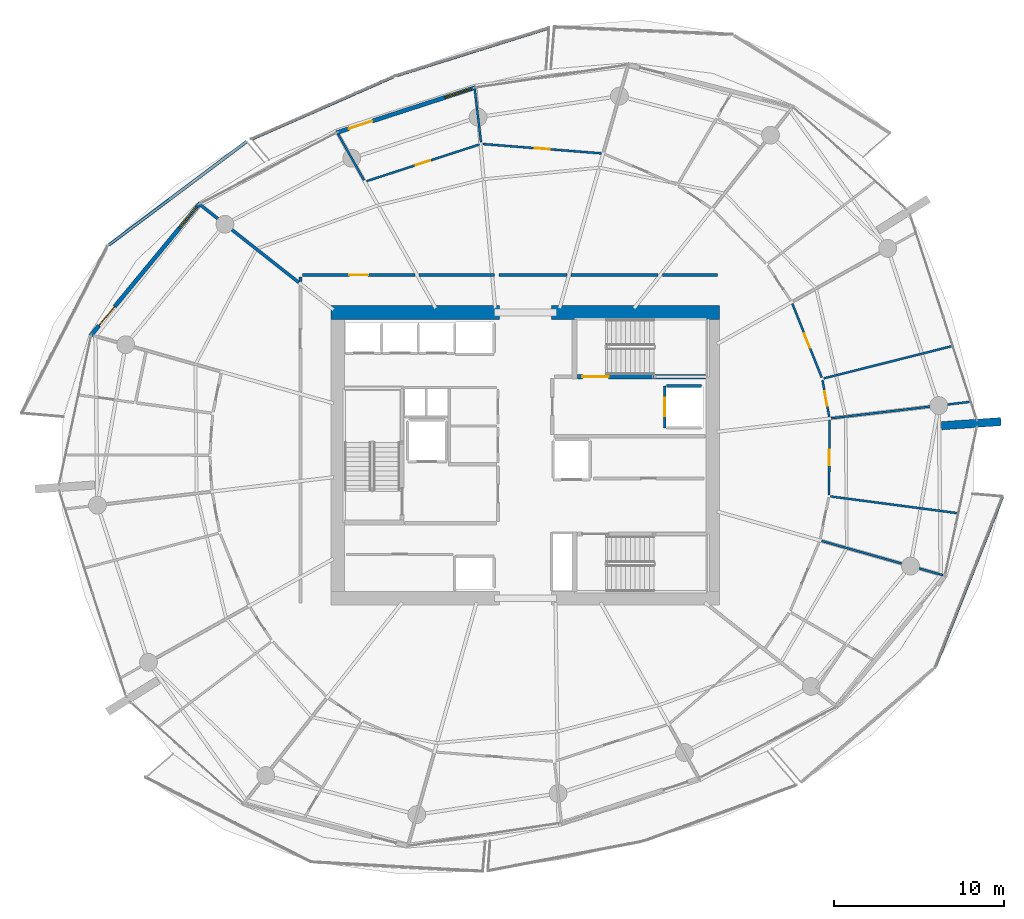
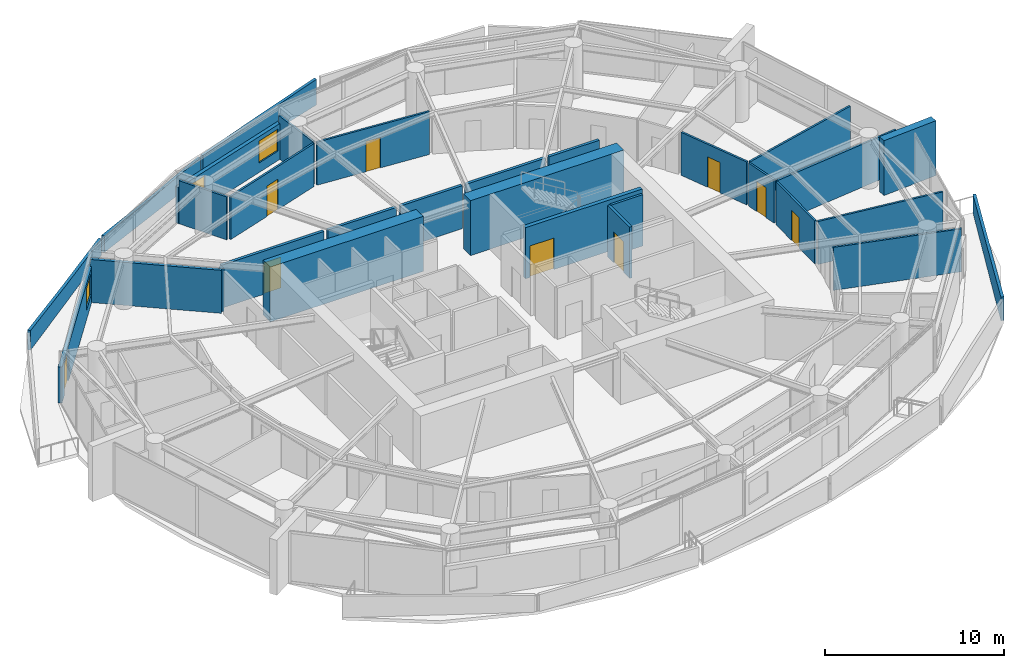
# One storey, part 14 of 20: 30 walls, 10 doors, 2 windows, 12 openings.
"""IFC4 building model written with IfcOpenShell, lengths in metres."""

import ifcopenshell
import ifcopenshell.guid

model = None  # the IFC model being written
_history = None  # IfcOwnerHistory: only IFC2X3 demands one
_inside = {}  # id of a spatial element -> (the spatial element, [elements in it])
_under = {}  # id of a project, library or spatial element -> (it, [spatial elements below it])
_declared = {}  # id of a project -> (the project, [libraries it declares])
_typed = {}  # id of a type object -> (the type object, [elements of that type])
_made_of = {}  # id of a material, layer set ... -> (it, [elements and type objects made of it])


def new_model(schema):
    """Start an empty IFC model of exactly this schema.

    Asked for "IFC4X3", IfcOpenShell would pick the latest addendum, in which some entities
    have other attributes; the version numbers below select the first issue.
    IFC2X3 requires an IfcOwnerHistory on every rooted entity: one is made here for all.
    """
    global model, _history
    if schema == "IFC4X3":
        model = ifcopenshell.file(schema_version=(4, 3, 0, 0))
    else:
        model = ifcopenshell.file(schema=schema)
    _inside.clear()
    _under.clear()
    _declared.clear()
    _typed.clear()
    _made_of.clear()
    _history = None
    if model.schema == "IFC2X3":
        org = make("IfcOrganization", Name="unknown")
        user = make(
            "IfcPersonAndOrganization",
            ThePerson=make("IfcPerson", FamilyName="unknown"),
            TheOrganization=org,
        )
        app = make(
            "IfcApplication",
            ApplicationDeveloper=org,
            Version="unknown",
            ApplicationFullName="unknown",
            ApplicationIdentifier="unknown",
        )
        _history = make(
            "IfcOwnerHistory",
            OwningUser=user,
            OwningApplication=app,
            ChangeAction="ADDED",
            CreationDate=0,
        )
    return model


def make(cls, **values):
    """One entity of the class cls with the attributes given. An attribute that is None is left unset."""
    return model.create_entity(
        cls, **{name: value for name, value in values.items() if value is not None}
    )


def rooted(cls, **values):
    """An entity with a GlobalId (a new one), such as an element, a storey or a relation."""
    return make(cls, GlobalId=ifcopenshell.guid.new(), OwnerHistory=_history, **values)


def si_unit(unit_type, name, prefix=None):
    """IfcSIUnit, for example si_unit("LENGTHUNIT", "METRE", prefix="MILLI")."""
    return make("IfcSIUnit", UnitType=unit_type, Prefix=prefix, Name=name)


def assignment(units):
    """IfcUnitAssignment: the units of a project."""
    return None if units is None else make("IfcUnitAssignment", Units=units)


def point(xyz):
    """IfcCartesianPoint."""
    return None if xyz is None else make("IfcCartesianPoint", Coordinates=xyz)


def direction(xyz):
    """IfcDirection."""
    return None if xyz is None else make("IfcDirection", DirectionRatios=xyz)


def frame(location, z_axis=None, x_axis=None):
    """IfcAxis2Placement3D, a coordinate frame: its origin and axes. An axis left out is left unset."""
    return make(
        "IfcAxis2Placement3D",
        Location=point(location),
        Axis=direction(z_axis),
        RefDirection=direction(x_axis),
    )


def frame_2d(location, x_axis=None):
    """IfcAxis2Placement2D, a coordinate frame in the plane: its origin and x axis."""
    return make(
        "IfcAxis2Placement2D", Location=point(location), RefDirection=direction(x_axis)
    )


def origin():
    """The frame at (0, 0, 0) with its axes left unset."""
    return frame((0.0, 0.0, 0.0))


def place(relative_to, where):
    """IfcLocalPlacement: puts the frame where relative to a parent placement (None: the world)."""
    return make(
        "IfcLocalPlacement", PlacementRelTo=relative_to, RelativePlacement=where
    )


def context(
    kind, dimensions, precision=None, world=None, true_north=None, identifier=None
):
    """IfcGeometricRepresentationContext, for example the 3D "Model" context."""
    return make(
        "IfcGeometricRepresentationContext",
        ContextIdentifier=identifier,
        ContextType=kind,
        CoordinateSpaceDimension=dimensions,
        Precision=precision,
        WorldCoordinateSystem=world,
        TrueNorth=true_north,
    )


def subcontext(parent, identifier, kind, view, scale=None):
    """IfcGeometricRepresentationSubContext, for example "Body" below "Model"."""
    return make(
        "IfcGeometricRepresentationSubContext",
        ContextIdentifier=identifier,
        ContextType=kind,
        ParentContext=parent,
        TargetScale=scale,
        TargetView=view,
    )


def project(units=None, contexts=None):
    """IfcProject with its units and contexts."""
    return rooted(
        "IfcProject",
        Name="project",
        RepresentationContexts=contexts,
        UnitsInContext=assignment(units),
    )


def spatial(cls, under=None, at=None, **own):
    """A site, building, storey or space (cls), placed at a placement, below another one or the project."""
    s = rooted(cls, ObjectPlacement=at, **own)
    if under is not None:
        _under.setdefault(under.id(), (under, []))[1].append(s)
    return s


def polyline(points):
    """IfcPolyline through the points."""
    return make("IfcPolyline", Points=[point(p) for p in points])


def profile(cls, at=None, kind="AREA", **sizes):
    """A parametric profile (cls). Its sizes go by their IFC names, for example OverallWidth=200.0."""
    return make(cls, ProfileType=kind, Position=at, **sizes)


def rectangle(**sizes):
    """IfcRectangleProfileDef."""
    return profile("IfcRectangleProfileDef", **sizes)


def outline(outer, holes=None, kind="AREA"):
    """IfcArbitraryClosedProfileDef: a profile drawn as a closed curve; with holes, ...WithVoids."""
    if holes is None:
        return make("IfcArbitraryClosedProfileDef", ProfileType=kind, OuterCurve=outer)
    return make(
        "IfcArbitraryProfileDefWithVoids",
        ProfileType=kind,
        OuterCurve=outer,
        InnerCurves=holes,
    )


def extrude(swept, where, along, depth):
    """IfcExtrudedAreaSolid: the profile swept, set in the frame where, extruded along a direction by depth."""
    return make(
        "IfcExtrudedAreaSolid",
        SweptArea=swept,
        Position=where,
        ExtrudedDirection=direction(along),
        Depth=depth,
    )


def shape(context_of_items, identifier, shape_type, items):
    """IfcShapeRepresentation: the items that make up one representation, for example the "Body"."""
    return make(
        "IfcShapeRepresentation",
        ContextOfItems=context_of_items,
        RepresentationIdentifier=identifier,
        RepresentationType=shape_type,
        Items=items,
    )


def material(Name=None, Category=None):
    """IfcMaterial."""
    return make("IfcMaterial", Name=Name, Category=Category)


def layer(
    of_material, thickness, ventilated=None, Name=None, Category=None, Priority=None
):
    """IfcMaterialLayer: one layer of a wall or slab, of a material (None: an air gap)."""
    return make(
        "IfcMaterialLayer",
        Material=of_material,
        LayerThickness=thickness,
        IsVentilated=ventilated,
        Name=Name,
        Category=Category,
        Priority=Priority,
    )


def layer_set(layers, Name=None):
    """IfcMaterialLayerSet."""
    return make("IfcMaterialLayerSet", MaterialLayers=layers, LayerSetName=Name)


def made_of(thing, what):
    """Note that an element or type object is made of a material, layer set ...; save() writes the relation."""
    if what is not None:
        _made_of.setdefault(what.id(), (what, []))[1].append(thing)
    return thing


def type_object(cls, material=None, **own):
    """A type object (cls), such as IfcWallType, which elements share."""
    return made_of(rooted(cls, **own), material)


def element(
    cls,
    number,
    at=None,
    inside=None,
    cuts=None,
    type_object=None,
    material=None,
    context=None,
    identifier="Body",
    shape_type=None,
    held_by="IfcProductDefinitionShape",
    body=None,
    shapes=None,
    **own,
):
    """One element of the class cls, such as IfcWall. Its Tag is "e" and its number.

    at: its placement. inside: the storey or other place that contains it. cuts: it is an
    opening in that element (IfcRelVoidsElement). A single representation is given by context,
    identifier, shape_type and body (its items); several are given by shapes. held_by: the class
    of the entity that holds the representations. save() writes the other relations.
    """
    e = rooted(cls, Tag="e%d" % number, ObjectPlacement=at, **own)
    if body is not None:
        shapes = [shape(context, identifier, shape_type, body)]
    if shapes is not None:
        e.Representation = make(held_by, Representations=shapes)
    if inside is not None:
        _inside.setdefault(inside.id(), (inside, []))[1].append(e)
    if cuts is not None:
        rooted(
            "IfcRelVoidsElement", RelatingBuildingElement=cuts, RelatedOpeningElement=e
        )
    if type_object is not None:
        _typed.setdefault(type_object.id(), (type_object, []))[1].append(e)
    return made_of(e, material)


def fill(opening, filler):
    """IfcRelFillsElement: the door or window that sits in an opening."""
    return rooted(
        "IfcRelFillsElement",
        RelatingOpeningElement=opening,
        RelatedBuildingElement=filler,
    )


def aggregate(whole, parts):
    """IfcRelAggregates: a whole, such as a stair, and the parts it consists of."""
    return rooted("IfcRelAggregates", RelatingObject=whole, RelatedObjects=parts)


def save(model, path):
    """Write the relations noted so far, then the file.

    IfcRelAggregates (storeys below a building ...), IfcRelContainedInSpatialStructure (elements
    in a storey), IfcRelDefinesByType, IfcRelAssociatesMaterial and IfcRelDeclares: one each for
    every whole, place, type object, material and project.
    """
    for whole, parts in _under.values():
        aggregate(whole, parts)
    for where, things in _inside.values():
        rooted(
            "IfcRelContainedInSpatialStructure",
            RelatedElements=things,
            RelatingStructure=where,
        )
    for kind, things in _typed.values():
        rooted("IfcRelDefinesByType", RelatedObjects=things, RelatingType=kind)
    for what, things in _made_of.values():
        rooted("IfcRelAssociatesMaterial", RelatedObjects=things, RelatingMaterial=what)
    for by, libraries in _declared.values():
        rooted("IfcRelDeclares", RelatingContext=by, RelatedDefinitions=libraries)
    model.write(path)


model = new_model("IFC4")

# Units and contexts
model_context = context("Model", 3, precision=1e-05, world=origin(), true_north=direction((0.0, 1.0)))
body_context = subcontext(model_context, "Body", "Model", "MODEL_VIEW")
ifc_project = project(units=[si_unit("LENGTHUNIT", "METRE"), si_unit("AREAUNIT", "SQUARE_METRE"), si_unit("VOLUMEUNIT", "CUBIC_METRE"), si_unit("PLANEANGLEUNIT", "RADIAN"), si_unit("MASSUNIT", "GRAM", prefix="KILO")], contexts=[model_context])

# Site, building, storey
site_placement = place(None, origin())
site = spatial("IfcSite", under=ifc_project, at=site_placement, CompositionType="ELEMENT")
building_placement = place(site_placement, origin())
building = spatial("IfcBuilding", under=site, at=building_placement, Name="Kazma Halo Residences", CompositionType="ELEMENT")
storey_placement = place(building_placement, frame((0.0, 0.0, 131.550048828125)))
storey = spatial("IfcBuildingStorey", under=building, at=storey_placement, Name="L32", CompositionType="ELEMENT", Elevation=131.550048828125)

# Walls
ifc_material_1 = material(Name="White Concrete C50/60 Balustrade", Category="concrete")
ifc_layer_1 = layer(ifc_material_1, 0.179931640625)
ifc_layer_set_1 = layer_set([ifc_layer_1], Name="White Concrete C50/60 Balustrade")
wall_type_1 = type_object("IfcWallType", Name="WL-BAL-WAVE-180", PredefinedType="PARAPET", material=ifc_layer_set_1)
wall_1_placement = place(storey_placement, frame((49.823974609375, 67.13720703125, 0.0), z_axis=(0.0, 0.0, 1.0), x_axis=(-0.954421625817, -0.298461656119, 0.0)))
element("IfcWall", 1, at=wall_1_placement, inside=storey, type_object=wall_type_1, Name="L32 white wave balustrade wall NNW.1", PredefinedType="PARAPET", context=body_context, shape_type="SweptSolid", body=[
    extrude(outline(polyline([(0.0, 0.0), (9.38330078125, 0.0), (9.383056640625, 1.347900390625), (4.69140625, 1.56201171875), (0.0, 1.7470703125), (0.0, 0.0)])), frame((0.0, 0.08984375, 0.0), z_axis=(0.0, -1.0, 0.0), x_axis=(1.0, 0.0, 0.0)), (0.0, 0.0, 1.0), 0.179931640625),
])
wall_2_placement = place(storey_placement, frame((40.644287109375, 64.252685546875, 0.0), z_axis=(0.0, 0.0, 1.0), x_axis=(-0.915409194146, -0.402524542448, 0.0)))
element("IfcWall", 2, at=wall_2_placement, inside=storey, type_object=wall_type_1, Name="L32 white wave balustrade wall NNW.2", PredefinedType="PARAPET", context=body_context, shape_type="SweptSolid", body=[
    extrude(outline(polyline([(0.0, 0.0), (9.0966796875, 0.0), (9.0966796875, 1.119873046875), (4.54833984375, 1.181884765625), (0.0, 1.347900390625), (0.0, 0.0)])), frame((0.0, 0.08984375, 0.0), z_axis=(0.0, -1.0, 0.0), x_axis=(1.0, 0.0, 0.0)), (0.0, 0.0, 1.0), 0.179931640625),
])
wall_3_placement = place(storey_placement, frame((32.04638671875, 60.449951171875, 0.0), z_axis=(0.0, 0.0, 1.0), x_axis=(-0.800078127259, -0.599895816189, 0.0)))
element("IfcWall", 3, at=wall_3_placement, inside=storey, type_object=wall_type_1, Name="L32 white wave balustrade wall NW.1", PredefinedType="PARAPET", context=body_context, shape_type="SweptSolid", body=[
    extrude(outline(polyline([(0.0, 0.0), (10.123779296875, 0.0), (10.123779296875, 1.347900390625), (5.061767578125, 1.181884765625), (0.0, 1.119873046875), (0.0, 0.0)])), frame((0.0, 0.08984375, 0.0), z_axis=(0.0, -1.0, 0.0), x_axis=(1.0, 0.0, 0.0)), (0.0, 0.0, 1.0), 0.179931640625),
])
wall_4_placement = place(storey_placement, frame((72.548095703125, 29.626220703125, 0.0), z_axis=(0.0, 0.0, 1.0), x_axis=(0.367668520181, 0.929956912587, 0.0)))
element("IfcWall", 4, at=wall_4_placement, inside=storey, type_object=wall_type_1, Name="L32 white wave balustrade wall SE.2", PredefinedType="PARAPET", context=body_context, shape_type="SweptSolid", body=[
    extrude(outline(polyline([(0.0, 0.0), (10.706787109375, 0.0), (10.706787109375, 1.23291015625), (5.353515625, 1.41796875), (0.0, 1.6318359375), (0.0, 0.0)])), frame((0.0, 0.08984375, 0.0), z_axis=(0.0, -1.0, 0.0), x_axis=(1.0, 0.0, 0.0)), (0.0, 0.0, 1.0), 0.179931640625),
])
ifc_material_2 = material(Name="Pale Concrete C60/75", Category="concrete")
ifc_layer_2 = layer(ifc_material_2, 0.47998046875)
ifc_layer_set_2 = layer_set([ifc_layer_2], Name="Pale Concrete C60/75")
wall_type_2 = type_object("IfcWallType", Name="WL-BLADE-480", PredefinedType="SOLIDWALL", material=ifc_layer_set_2)
wall_5_placement = place(storey_placement, frame((72.89697265625, 43.740966796875, 0.0), z_axis=(0.0, 0.0, 1.0), x_axis=(0.997564163539, 0.069754853754, 0.0)))
element("IfcWall", 5, at=wall_5_placement, inside=storey, type_object=wall_type_2, Name="L32 pale concrete structural blade fin wall BW-04", PredefinedType="SOLIDWALL", context=body_context, shape_type="SweptSolid", body=[
    extrude(rectangle(XDim=3.5, YDim=0.47998046875, at=frame_2d((1.75, 0.0))), origin(), (0.0, 0.0, 1.0), 3.75),
])
ifc_material_3 = material(Name="Concrete C80/95", Category="concrete")
ifc_layer_3 = layer(ifc_material_3, 0.800048828125)
ifc_layer_set_3 = layer_set([ifc_layer_3], Name="Concrete C80/95")
wall_type_3 = type_object("IfcWallType", Name="WL-CORE-800", PredefinedType="SHEAR", material=ifc_layer_set_3)
wall_6_placement = place(storey_placement, frame((37.0, 50.39990234375, 0.0), z_axis=(0.0, 0.0, 1.0), x_axis=(1.0, 0.0, 0.0)))
element("IfcWall", 6, at=wall_6_placement, inside=storey, type_object=wall_type_3, Name="L32 central core shear wall NW", PredefinedType="SHEAR", context=body_context, shape_type="SweptSolid", body=[
    extrude(rectangle(XDim=9.89990234375, YDim=0.800048828125, at=frame_2d((4.949951171875, 0.0))), origin(), (0.0, 0.0, 1.0), 3.75),
])
wall_7_placement = place(storey_placement, frame((49.949951171875, 50.39990234375, 0.0), z_axis=(0.0, 0.0, 1.0), x_axis=(1.0, 0.0, 0.0)))
element("IfcWall", 7, at=wall_7_placement, inside=storey, type_object=wall_type_3, Name="L32 central core shear wall NE", PredefinedType="SHEAR", context=body_context, shape_type="SweptSolid", body=[
    extrude(rectangle(XDim=9.900146484375, YDim=0.800048828125, at=frame_2d((4.9501953125, 0.0))), origin(), (0.0, 0.0, 1.0), 3.75),
])
ifc_material_4 = material(Name="Acoustic Twin-Stud Gypsum")
ifc_layer_4 = layer(ifc_material_4, 0.179931640625)
ifc_layer_set_4 = layer_set([ifc_layer_4], Name="Acoustic Twin-Stud Gypsum")
wall_type_4 = type_object("IfcWallType", Name="WL-DEM-180", PredefinedType="PARTITIONING", material=ifc_layer_set_4)
wall_8_placement = place(storey_placement, frame((35.113525390625, 52.15869140625, 0.0), z_axis=(0.0, 0.0, 1.0), x_axis=(-0.78531739611, 0.619093359169, 0.0)))
element("IfcWall", 8, at=wall_8_placement, inside=storey, type_object=wall_type_4, Name="L32 apartment demising radial wall 05", PredefinedType="PARTITIONING", context=body_context, shape_type="SweptSolid", body=[
    extrude(rectangle(XDim=7.430419921875, YDim=0.179931640625, at=frame_2d((3.71533203125, 0.0))), origin(), (0.0, 0.0, 1.0), 2.93994140625),
])

# Wall, opening, door
wall_9_placement = place(storey_placement, frame((41.943603515625, 52.60009765625, 0.0), z_axis=(0.0, 0.0, 1.0), x_axis=(-1.0, 0.0, 0.0)))
wall_9 = element("IfcWall", 9, at=wall_9_placement, inside=storey, type_object=wall_type_4, Name="L32 Apartment 2 entrance corridor wall", PredefinedType="PARTITIONING", context=body_context, shape_type="SweptSolid", body=[
    extrude(rectangle(XDim=6.62353515625, YDim=0.179931640625, at=frame_2d((3.311767578125, 0.0))), origin(), (0.0, 0.0, 1.0), 2.93994140625),
])
opening_1_placement = place(wall_9_placement, frame((2.76171875, 0.0, 0.0)))
opening_1 = element("IfcOpeningElement", 10, at=opening_1_placement, cuts=wall_9, Name="Opening DA-1100", PredefinedType="OPENING", context=body_context, shape_type="SweptSolid", body=[
    extrude(rectangle(XDim=1.10009765625, YDim=2.10009765625, at=frame_2d((0.550048828125, 1.050048828125))), frame((0.0, 0.099853515625, 0.0), z_axis=(0.0, -1.0, 0.0), x_axis=(1.0, 0.0, 0.0)), (0.0, 0.0, 1.0), 0.199951171875),
])
ifc_material_5 = material(Name="Acoustic Walnut Fire Leaf")
door_type_1 = type_object("IfcDoorType", Name="DR-FD60-1100", OperationType="NOTDEFINED", PredefinedType="DOOR", material=ifc_material_5)
door_1_placement = place(opening_1_placement, origin())
door_1 = element("IfcDoor", 11, at=door_1_placement, inside=storey, type_object=door_type_1, Name="L32 Apartment 2 entrance fire door", OperationType="SINGLE_SWING_LEFT", OverallHeight=2.10009765625, OverallWidth=1.10009765625, PredefinedType="DOOR", context=body_context, shape_type="SweptSolid", body=[
    extrude(rectangle(XDim=1.10009765625, YDim=2.10009765625, at=frame_2d((0.550048828125, 1.050048828125))), frame((0.0, 0.02490234375, 0.0), z_axis=(0.0, -1.0, 0.0), x_axis=(1.0, 0.0, 0.0)), (0.0, 0.0, 1.0), 0.050048828125),
])
fill(opening_1, door_1)

# Walls
wall_10_placement = place(storey_placement, frame((35.199951171875, 52.47998046875, 0.0), z_axis=(0.0, 0.0, 1.0), x_axis=(0.0, -1.0, 0.0)))
element("IfcWall", 12, at=wall_10_placement, inside=storey, type_object=wall_type_4, Name="L32 Apartment 2 entrance corridor wall", PredefinedType="PARTITIONING", context=body_context, shape_type="SweptSolid", body=[
    extrude(rectangle(XDim=0.269287109375, YDim=0.179931640625, at=frame_2d((0.134765625, 0.0))), origin(), (0.0, 0.0, 1.0), 2.93994140625),
])
wall_11_placement = place(storey_placement, frame((59.72998046875, 52.60009765625, 0.0), z_axis=(0.0, 0.0, 1.0), x_axis=(-1.0, 0.0, 0.0)))
element("IfcWall", 13, at=wall_11_placement, inside=storey, type_object=wall_type_4, Name="L32 Apartment 2 inner wall 0", PredefinedType="PARTITIONING", context=body_context, shape_type="SweptSolid", body=[
    extrude(rectangle(XDim=3.253662109375, YDim=0.179931640625, at=frame_2d((1.626953125, 0.0))), origin(), (0.0, 0.0, 1.0), 2.93994140625),
])
wall_12_placement = place(storey_placement, frame((56.236328125, 52.60009765625, 0.0), z_axis=(0.0, 0.0, 1.0), x_axis=(-1.0, 0.0, 0.0)))
element("IfcWall", 14, at=wall_12_placement, inside=storey, type_object=wall_type_4, Name="L32 Apartment 2 inner wall 1", PredefinedType="PARTITIONING", context=body_context, shape_type="SweptSolid", body=[
    extrude(rectangle(XDim=5.126708984375, YDim=0.179931640625, at=frame_2d((2.5634765625, 0.0))), origin(), (0.0, 0.0, 1.0), 2.93994140625),
])
wall_13_placement = place(storey_placement, frame((50.869384765625, 52.60009765625, 0.0), z_axis=(0.0, 0.0, 1.0), x_axis=(-1.0, 0.0, 0.0)))
element("IfcWall", 15, at=wall_13_placement, inside=storey, type_object=wall_type_4, Name="L32 Apartment 2 inner wall 2", PredefinedType="PARTITIONING", context=body_context, shape_type="SweptSolid", body=[
    extrude(rectangle(XDim=4.00390625, YDim=0.179931640625, at=frame_2d((2.001953125, 0.0))), origin(), (0.0, 0.0, 1.0), 2.93994140625),
])
wall_14_placement = place(storey_placement, frame((46.62548828125, 52.60009765625, 0.0), z_axis=(0.0, 0.0, 1.0), x_axis=(-1.0, 0.0, 0.0)))
element("IfcWall", 16, at=wall_14_placement, inside=storey, type_object=wall_type_4, Name="L32 Apartment 2 inner wall 3", PredefinedType="PARTITIONING", context=body_context, shape_type="SweptSolid", body=[
    extrude(rectangle(XDim=4.44189453125, YDim=0.179931640625, at=frame_2d((2.220947265625, 0.0))), origin(), (0.0, 0.0, 1.0), 2.93994140625),
])

# Wall, openings, door, window
ifc_material_6 = material(Name="Insulated Pale-Metal Composite Wall")
ifc_layer_5 = layer(ifc_material_6, 0.239990234375)
ifc_layer_set_5 = layer_set([ifc_layer_5], Name="Insulated Pale-Metal Composite Wall")
wall_type_5 = type_object("IfcWallType", Name="WL-EXT-HOST-240", PredefinedType="SOLIDWALL", material=ifc_layer_set_5)
wall_15_placement = place(storey_placement, frame((45.489990234375, 63.624267578125, 0.0), z_axis=(0.0, 0.0, 1.0), x_axis=(-0.951046390632, -0.309048156224, 0.0)))
wall_15 = element("IfcWall", 17, at=wall_15_placement, inside=storey, type_object=wall_type_5, Name="L32 exterior terrace-access wall B04", PredefinedType="SOLIDWALL", context=body_context, shape_type="SweptSolid", body=[
    extrude(rectangle(XDim=8.590087890625, YDim=0.239990234375, at=frame_2d((4.294921875, 0.0))), origin(), (0.0, 0.0, 1.0), 2.449951171875),
])
opening_2_placement = place(wall_15_placement, frame((6.370361328125, 0.0, 0.0)))
opening_2 = element("IfcOpeningElement", 18, at=opening_2_placement, cuts=wall_15, Name="Opening DTR-1600", PredefinedType="OPENING", context=body_context, shape_type="SweptSolid", body=[
    extrude(rectangle(XDim=1.449951171875, YDim=2.14990234375, at=frame_2d((0.72509765625, 1.074951171875))), frame((0.0, 0.1298828125, 0.0), z_axis=(0.0, -1.0, 0.0), x_axis=(1.0, 0.0, 0.0)), (0.0, 0.0, 1.0), 0.260009765625),
])
opening_3_placement = place(wall_15_placement, frame((0.280029296875, 0.0, 0.64990234375)))
opening_3 = element("IfcOpeningElement", 19, at=opening_3_placement, cuts=wall_15, Name="Opening W-1800", PredefinedType="OPENING", context=body_context, shape_type="SweptSolid", body=[
    extrude(rectangle(XDim=1.60009765625, YDim=1.5, at=frame_2d((0.800048828125, 0.75))), frame((0.0, 0.1298828125, 0.0), z_axis=(0.0, -1.0, 0.0), x_axis=(1.0, 0.0, 0.0)), (0.0, 0.0, 1.0), 0.260009765625),
])
ifc_material_7 = material(Name="Aluminium AW-6063 T6 Double-Glazed Terrace Door", Category="aluminium")
door_type_2 = type_object("IfcDoorType", Name="DR-EXT-TERR-1600", OperationType="NOTDEFINED", PredefinedType="DOOR", material=ifc_material_7)
door_2_placement = place(opening_2_placement, origin())
door_2 = element("IfcDoor", 20, at=door_2_placement, inside=storey, type_object=door_type_2, Name="L32 B04 balcony terrace door", OperationType="DOUBLE_DOOR_SLIDING", OverallHeight=2.14990234375, OverallWidth=1.449951171875, PredefinedType="DOOR", context=body_context, shape_type="SweptSolid", body=[
    extrude(rectangle(XDim=1.449951171875, YDim=2.14990234375, at=frame_2d((0.72509765625, 1.074951171875))), frame((0.0, 0.02490234375, 0.0), z_axis=(0.0, -1.0, 0.0), x_axis=(1.0, 0.0, 0.0)), (0.0, 0.0, 1.0), 0.050048828125),
])
fill(opening_2, door_2)
ifc_material_8 = material(Name="Clear Triple-Silver Low-E Glass in Aluminium AW-6063 T6 Frame", Category="aluminium")
window_type = type_object("IfcWindowType", Name="WIN-RES-1800", PartitioningType="DOUBLE_PANEL_VERTICAL", PredefinedType="WINDOW", material=ifc_material_8)
window_1_placement = place(opening_3_placement, origin())
window_1 = element("IfcWindow", 21, at=window_1_placement, inside=storey, type_object=window_type, Name="L32 B04 apartment window", OverallHeight=1.5, OverallWidth=1.60009765625, PartitioningType="SINGLE_PANEL", PredefinedType="WINDOW", context=body_context, shape_type="SweptSolid", body=[
    extrude(rectangle(XDim=1.60009765625, YDim=1.5, at=frame_2d((0.800048828125, 0.75))), frame((0.0, 0.030029296875, 0.0), z_axis=(0.0, -1.0, 0.0), x_axis=(1.0, 0.0, 0.0)), (0.0, 0.0, 1.0), 0.06005859375),
])
fill(opening_3, window_1)

wall_16_placement = place(storey_placement, frame((29.29052734375, 56.81298828125, 0.0), z_axis=(0.0, 0.0, 1.0), x_axis=(-0.636771922292, -0.77105221547, 0.0)))
wall_16 = element("IfcWall", 22, at=wall_16_placement, inside=storey, type_object=wall_type_5, Name="L32 exterior terrace-access wall B06", PredefinedType="SOLIDWALL", context=body_context, shape_type="SweptSolid", body=[
    extrude(rectangle(XDim=10.08154296875, YDim=0.239990234375, at=frame_2d((5.040771484375, 0.0))), origin(), (0.0, 0.0, 1.0), 2.449951171875),
])
opening_4_placement = place(wall_16_placement, frame((7.861572265625, 0.0, 0.0)))
opening_4 = element("IfcOpeningElement", 23, at=opening_4_placement, cuts=wall_16, Name="Opening DTR-1600", PredefinedType="OPENING", context=body_context, shape_type="SweptSolid", body=[
    extrude(rectangle(XDim=1.449951171875, YDim=2.14990234375, at=frame_2d((0.72509765625, 1.074951171875))), frame((0.0, 0.1298828125, 0.0), z_axis=(0.0, -1.0, 0.0), x_axis=(1.0, 0.0, 0.0)), (0.0, 0.0, 1.0), 0.260009765625),
])
opening_5_placement = place(wall_16_placement, frame((0.280029296875, 0.0, 0.64990234375)))
opening_5 = element("IfcOpeningElement", 24, at=opening_5_placement, cuts=wall_16, Name="Opening W-1800", PredefinedType="OPENING", context=body_context, shape_type="SweptSolid", body=[
    extrude(rectangle(XDim=1.60009765625, YDim=1.5, at=frame_2d((0.800048828125, 0.75))), frame((0.0, 0.1298828125, 0.0), z_axis=(0.0, -1.0, 0.0), x_axis=(1.0, 0.0, 0.0)), (0.0, 0.0, 1.0), 0.260009765625),
])
door_3_placement = place(opening_4_placement, origin())
door_3 = element("IfcDoor", 25, at=door_3_placement, inside=storey, type_object=door_type_2, Name="L32 B06 balcony terrace door", OperationType="DOUBLE_DOOR_SLIDING", OverallHeight=2.14990234375, OverallWidth=1.449951171875, PredefinedType="DOOR", context=body_context, shape_type="SweptSolid", body=[
    extrude(rectangle(XDim=1.449951171875, YDim=2.14990234375, at=frame_2d((0.72509765625, 1.074951171875))), frame((0.0, 0.02490234375, 0.0), z_axis=(0.0, -1.0, 0.0), x_axis=(1.0, 0.0, 0.0)), (0.0, 0.0, 1.0), 0.050048828125),
])
fill(opening_4, door_3)
window_2_placement = place(opening_5_placement, origin())
window_2 = element("IfcWindow", 26, at=window_2_placement, inside=storey, type_object=window_type, Name="L32 B06 apartment window", OverallHeight=1.5, OverallWidth=1.60009765625, PartitioningType="SINGLE_PANEL", PredefinedType="WINDOW", context=body_context, shape_type="SweptSolid", body=[
    extrude(rectangle(XDim=1.60009765625, YDim=1.5, at=frame_2d((0.800048828125, 0.75))), frame((0.0, 0.030029296875, 0.0), z_axis=(0.0, -1.0, 0.0), x_axis=(1.0, 0.0, 0.0)), (0.0, 0.0, 1.0), 0.06005859375),
])
fill(opening_5, window_2)

# Wall, opening, door
ifc_material_9 = material(Name="Fire-Rated Blockwork Masonry", Category="masonry")
ifc_layer_6 = layer(ifc_material_9, 0.199951171875)
ifc_layer_set_6 = layer_set([ifc_layer_6], Name="Fire-Rated Blockwork Masonry")
wall_type_6 = type_object("IfcWallType", Name="WL-FLB-200", PredefinedType="PARTITIONING", material=ifc_layer_set_6)
wall_17_placement = place(storey_placement, frame((56.6201171875, 46.080078125, 0.0), z_axis=(0.0, 0.0, 1.0), x_axis=(0.0, -1.0, 0.0)))
wall_17 = element("IfcWall", 27, at=wall_17_placement, inside=storey, type_object=wall_type_6, Name="L32 lift shaft FL-02 front wall", PredefinedType="PARTITIONING", context=body_context, shape_type="SweptSolid", body=[
    extrude(rectangle(XDim=2.4599609375, YDim=0.159912109375, at=frame_2d((1.22998046875, 0.0))), origin(), (0.0, 0.0, 1.0), 3.5),
])
opening_6_placement = place(wall_17_placement, frame((0.679931640625, 0.0, 0.0)))
opening_6 = element("IfcOpeningElement", 28, at=opening_6_placement, cuts=wall_17, Name="Opening LD-FL-02", PredefinedType="OPENING", context=body_context, shape_type="SweptSolid", body=[
    extrude(rectangle(XDim=1.10009765625, YDim=2.10009765625, at=frame_2d((0.550048828125, 1.050048828125))), frame((0.0, 0.08984375, 0.0), z_axis=(0.0, -1.0, 0.0), x_axis=(1.0, 0.0, 0.0)), (0.0, 0.0, 1.0), 0.179931640625),
])
ifc_material_10 = material(Name="Stainless Steel Fire-Rated", Category="steel")
door_type_3 = type_object("IfcDoorType", Name="DR-LIFT-SLD-1100", OperationType="DOUBLE_DOOR_SLIDING", PredefinedType="DOOR", material=ifc_material_10)
door_4_placement = place(opening_6_placement, origin())
door_4 = element("IfcDoor", 29, at=door_4_placement, inside=storey, type_object=door_type_3, Name="L32 lift FL-02 sliding landing door", OperationType="DOUBLE_DOOR_SLIDING", OverallHeight=2.10009765625, OverallWidth=1.10009765625, PredefinedType="DOOR", context=body_context, shape_type="SweptSolid", body=[
    extrude(rectangle(XDim=1.10009765625, YDim=2.10009765625, at=frame_2d((0.550048828125, 1.050048828125))), frame((0.0, 0.02490234375, 0.0), z_axis=(0.0, -1.0, 0.0), x_axis=(1.0, 0.0, 0.0)), (0.0, 0.0, 1.0), 0.050048828125),
])
fill(opening_6, door_4)

# Walls
wall_18_placement = place(storey_placement, frame((56.719970703125, 46.080078125, 0.0), z_axis=(0.0, 0.0, 1.0), x_axis=(1.0, 0.0, 0.0)))
element("IfcWall", 30, at=wall_18_placement, inside=storey, type_object=wall_type_6, Name="L32 lift shaft FL-02 side wall N", PredefinedType="PARTITIONING", context=body_context, shape_type="SweptSolid", body=[
    extrude(rectangle(XDim=2.06005859375, YDim=0.159912109375, at=frame_2d((1.030029296875, 0.0))), origin(), (0.0, 0.0, 1.0), 3.5),
])
ifc_material_11 = material(Name="Gypsum Plasterboard Partition")
ifc_layer_7 = layer(ifc_material_11, 0.125)
ifc_layer_set_7 = layer_set([ifc_layer_7], Name="Gypsum Plasterboard Partition")
wall_type_7 = type_object("IfcWallType", Name="WL-PART-125", PredefinedType="PARTITIONING", material=ifc_layer_set_7)
wall_19_placement = place(storey_placement, frame((65.843017578125, 36.9677734375, 0.0), z_axis=(0.0, 0.0, 1.0), x_axis=(0.962456736489, -0.271435131084, 0.0)))
element("IfcWall", 31, at=wall_19_placement, inside=storey, type_object=wall_type_7, Name="L32 Apartment 2 radial partition 14", PredefinedType="PARTITIONING", context=body_context, shape_type="SweptSolid", body=[
    extrude(rectangle(XDim=7.412353515625, YDim=0.125, at=frame_2d((3.7060546875, 0.0))), origin(), (0.0, 0.0, 1.0), 2.93994140625),
])
wall_20_placement = place(storey_placement, frame((66.370849609375, 39.583984375, 0.0), z_axis=(0.0, 0.0, 1.0), x_axis=(0.991460894336, -0.130404351934, 0.0)))
element("IfcWall", 32, at=wall_20_placement, inside=storey, type_object=wall_type_7, Name="L32 Apartment 2 mid-bay wall 14", PredefinedType="PARTITIONING", context=body_context, shape_type="SweptSolid", body=[
    extrude(rectangle(XDim=7.55419921875, YDim=0.125, at=frame_2d((3.777099609375, 0.0))), origin(), (0.0, 0.0, 1.0), 2.93994140625),
])

# Wall, opening, door
wall_21_placement = place(storey_placement, frame((66.281982421875, 39.675537109375, 0.0), z_axis=(0.0, 0.0, 1.0), x_axis=(0.006503837091, 0.999978849828, 0.0)))
wall_21 = element("IfcWall", 33, at=wall_21_placement, inside=storey, type_object=wall_type_7, Name="L32 Apartment 2 Secondary Master Bedroom hall wall", PredefinedType="PARTITIONING", context=body_context, shape_type="SweptSolid", body=[
    extrude(rectangle(XDim=4.391845703125, YDim=0.125, at=frame_2d((2.19580078125, 0.0))), origin(), (0.0, 0.0, 1.0), 2.93994140625),
])
opening_7_placement = place(wall_21_placement, frame((1.745849609375, 0.0, 0.0)))
opening_7 = element("IfcOpeningElement", 34, at=opening_7_placement, cuts=wall_21, Name="Opening DI-950", PredefinedType="OPENING", context=body_context, shape_type="SweptSolid", body=[
    extrude(rectangle(XDim=0.89990234375, YDim=2.080078125, at=frame_2d((0.449951171875, 1.0400390625))), frame((0.0, 0.072509765625, 0.0), z_axis=(0.0, -1.0, 0.0), x_axis=(1.0, 0.0, 0.0)), (0.0, 0.0, 1.0), 0.14501953125),
])
ifc_material_12 = material(Name="Timber Veneer Flush Leaf", Category="wood")
door_type_4 = type_object("IfcDoorType", Name="DR-INT-950", OperationType="NOTDEFINED", PredefinedType="DOOR", material=ifc_material_12)
door_5_placement = place(opening_7_placement, origin())
door_5 = element("IfcDoor", 35, at=door_5_placement, inside=storey, type_object=door_type_4, Name="L32 Apartment 2 Secondary Master Bedroom door", OperationType="SINGLE_SWING_RIGHT", OverallHeight=2.080078125, OverallWidth=0.89990234375, PredefinedType="DOOR", context=body_context, shape_type="SweptSolid", body=[
    extrude(rectangle(XDim=0.89990234375, YDim=2.080078125, at=frame_2d((0.449951171875, 1.0400390625))), frame((0.0, 0.02490234375, 0.0), z_axis=(0.0, -1.0, 0.0), x_axis=(1.0, 0.0, 0.0)), (0.0, 0.0, 1.0), 0.050048828125),
])
fill(opening_7, door_5)

# Walls
wall_22_placement = place(storey_placement, frame((66.410400390625, 44.17919921875, 0.0), z_axis=(0.0, 0.0, 1.0), x_axis=(0.993070354128, 0.117521367213, 0.0)))
element("IfcWall", 36, at=wall_22_placement, inside=storey, type_object=wall_type_7, Name="L32 Apartment 2 radial partition 15", PredefinedType="PARTITIONING", context=body_context, shape_type="SweptSolid", body=[
    extrude(rectangle(XDim=8.247314453125, YDim=0.125, at=frame_2d((4.12353515625, 0.0))), origin(), (0.0, 0.0, 1.0), 2.93994140625),
])
wall_23_placement = place(storey_placement, frame((65.968505859375, 46.5234375, 0.0), z_axis=(0.0, 0.0, 1.0), x_axis=(0.969747306191, 0.244110962749, 0.0)))
element("IfcWall", 37, at=wall_23_placement, inside=storey, type_object=wall_type_7, Name="L32 Apartment 2 mid-bay wall 15", PredefinedType="PARTITIONING", context=body_context, shape_type="SweptSolid", body=[
    extrude(rectangle(XDim=7.802001953125, YDim=0.125, at=frame_2d((3.90087890625, 0.0))), origin(), (0.0, 0.0, 1.0), 2.93994140625),
])

# Wall, opening, door
wall_24_placement = place(storey_placement, frame((66.293212890625, 44.265625, 0.0), z_axis=(0.0, 0.0, 1.0), x_axis=(-0.181323912203, 0.983423428063, 0.0)))
wall_24 = element("IfcWall", 38, at=wall_24_placement, inside=storey, type_object=wall_type_7, Name="L32 Apartment 2 East Wine Pantry Store hall wall", PredefinedType="PARTITIONING", context=body_context, shape_type="SweptSolid", body=[
    extrude(rectangle(XDim=2.193359375, YDim=0.125, at=frame_2d((1.0966796875, 0.0))), origin(), (0.0, 0.0, 1.0), 2.93994140625),
])
opening_8_placement = place(wall_24_placement, frame((0.671630859375, 0.0, 0.0)))
opening_8 = element("IfcOpeningElement", 39, at=opening_8_placement, cuts=wall_24, Name="Opening DB-900", PredefinedType="OPENING", context=body_context, shape_type="SweptSolid", body=[
    extrude(rectangle(XDim=0.85009765625, YDim=2.06005859375, at=frame_2d((0.425048828125, 1.030029296875))), frame((0.0, 0.072509765625, 0.0), z_axis=(0.0, -1.0, 0.0), x_axis=(1.0, 0.0, 0.0)), (0.0, 0.0, 1.0), 0.14501953125),
])
ifc_material_13 = material(Name="Moisture-Sealed Timber Leaf", Category="wood")
door_type_5 = type_object("IfcDoorType", Name="DR-BTH-900", OperationType="NOTDEFINED", PredefinedType="DOOR", material=ifc_material_13)
door_6_placement = place(opening_8_placement, origin())
door_6 = element("IfcDoor", 40, at=door_6_placement, inside=storey, type_object=door_type_5, Name="L32 Apartment 2 East Wine Pantry Store door", OperationType="SINGLE_SWING_RIGHT", OverallHeight=2.06005859375, OverallWidth=0.85009765625, PredefinedType="DOOR", context=body_context, shape_type="SweptSolid", body=[
    extrude(rectangle(XDim=0.85009765625, YDim=2.06005859375, at=frame_2d((0.425048828125, 1.030029296875))), frame((0.0, 0.02490234375, 0.0), z_axis=(0.0, -1.0, 0.0), x_axis=(1.0, 0.0, 0.0)), (0.0, 0.0, 1.0), 0.050048828125),
])
fill(opening_8, door_6)

wall_25_placement = place(storey_placement, frame((65.8515625, 46.57568359375, 0.0), z_axis=(0.0, 0.0, 1.0), x_axis=(-0.369569936121, 0.929202917729, 0.0)))
wall_25 = element("IfcWall", 41, at=wall_25_placement, inside=storey, type_object=wall_type_7, Name="L32 Apartment 2 West Formal Dining Room hall wall", PredefinedType="PARTITIONING", context=body_context, shape_type="SweptSolid", body=[
    extrude(rectangle(XDim=4.671875, YDim=0.125, at=frame_2d((2.3359375, 0.0))), origin(), (0.0, 0.0, 1.0), 2.93994140625),
])
opening_9_placement = place(wall_25_placement, frame((1.885986328125, 0.0, 0.0)))
opening_9 = element("IfcOpeningElement", 42, at=opening_9_placement, cuts=wall_25, Name="Opening DI-950", PredefinedType="OPENING", context=body_context, shape_type="SweptSolid", body=[
    extrude(rectangle(XDim=0.89990234375, YDim=2.080078125, at=frame_2d((0.449951171875, 1.0400390625))), frame((0.0, 0.072509765625, 0.0), z_axis=(0.0, -1.0, 0.0), x_axis=(1.0, 0.0, 0.0)), (0.0, 0.0, 1.0), 0.14501953125),
])
door_7_placement = place(opening_9_placement, origin())
door_7 = element("IfcDoor", 43, at=door_7_placement, inside=storey, type_object=door_type_4, Name="L32 Apartment 2 West Formal Dining Room door", OperationType="SINGLE_SWING_LEFT", OverallHeight=2.080078125, OverallWidth=0.89990234375, PredefinedType="DOOR", context=body_context, shape_type="SweptSolid", body=[
    extrude(rectangle(XDim=0.89990234375, YDim=2.080078125, at=frame_2d((0.449951171875, 1.0400390625))), frame((0.0, 0.02490234375, 0.0), z_axis=(0.0, -1.0, 0.0), x_axis=(1.0, 0.0, 0.0)), (0.0, 0.0, 1.0), 0.050048828125),
])
fill(opening_9, door_7)

wall_26_placement = place(storey_placement, frame((52.8955078125, 59.75537109375, 0.0), z_axis=(0.0, 0.0, 1.0), x_axis=(-0.996918496177, 0.078444324085, 0.0)))
wall_26 = element("IfcWall", 44, at=wall_26_placement, inside=storey, type_object=wall_type_7, Name="L32 Apartment 2 Garden Master Bedroom gallery wall", PredefinedType="PARTITIONING", context=body_context, shape_type="SweptSolid", body=[
    extrude(rectangle(XDim=6.974609375, YDim=0.125, at=frame_2d((3.4873046875, 0.0))), origin(), (0.0, 0.0, 1.0), 2.93994140625),
])
opening_10_placement = place(wall_26_placement, frame((3.037353515625, 0.0, 0.0)))
opening_10 = element("IfcOpeningElement", 45, at=opening_10_placement, cuts=wall_26, Name="Opening DI-950", PredefinedType="OPENING", context=body_context, shape_type="SweptSolid", body=[
    extrude(rectangle(XDim=0.89990234375, YDim=2.080078125, at=frame_2d((0.449951171875, 1.0400390625))), frame((0.0, 0.072509765625, 0.0), z_axis=(0.0, -1.0, 0.0), x_axis=(1.0, 0.0, 0.0)), (0.0, 0.0, 1.0), 0.14501953125),
])
door_8_placement = place(opening_10_placement, origin())
door_8 = element("IfcDoor", 46, at=door_8_placement, inside=storey, type_object=door_type_4, Name="L32 Apartment 2 Garden Master Bedroom door", OperationType="SINGLE_SWING_LEFT", OverallHeight=2.080078125, OverallWidth=0.89990234375, PredefinedType="DOOR", context=body_context, shape_type="SweptSolid", body=[
    extrude(rectangle(XDim=0.89990234375, YDim=2.080078125, at=frame_2d((0.449951171875, 1.0400390625))), frame((0.0, 0.02490234375, 0.0), z_axis=(0.0, -1.0, 0.0), x_axis=(1.0, 0.0, 0.0)), (0.0, 0.0, 1.0), 0.050048828125),
])
fill(opening_10, door_8)

# Walls
wall_27_placement = place(storey_placement, frame((45.82080078125, 60.410400390625, 0.0), z_axis=(0.0, 0.0, 1.0), x_axis=(-0.117497237937, 0.993073209324, 0.0)))
element("IfcWall", 47, at=wall_27_placement, inside=storey, type_object=wall_type_7, Name="L32 Apartment 2 radial partition 3", PredefinedType="PARTITIONING", context=body_context, shape_type="SweptSolid", body=[
    extrude(rectangle(XDim=3.19580078125, YDim=0.125, at=frame_2d((1.597900390625, 0.0))), origin(), (0.0, 0.0, 1.0), 2.93994140625),
])
wall_28_placement = place(storey_placement, frame((38.94140625, 58.17529296875, 0.0), z_axis=(0.0, 0.0, 1.0), x_axis=(-0.488620181058, 0.872496600946, 0.0)))
element("IfcWall", 48, at=wall_28_placement, inside=storey, type_object=wall_type_7, Name="L32 Apartment 2 living radial partition 3", PredefinedType="PARTITIONING", context=body_context, shape_type="SweptSolid", body=[
    extrude(rectangle(XDim=3.095458984375, YDim=0.125, at=frame_2d((1.5478515625, 0.0))), origin(), (0.0, 0.0, 1.0), 2.93994140625),
])

# Wall, opening, door
wall_29_placement = place(storey_placement, frame((45.72802734375, 60.277099609375, 0.0), z_axis=(0.0, 0.0, 1.0), x_axis=(-0.951064162215, -0.308993461661, 0.0)))
wall_29 = element("IfcWall", 49, at=wall_29_placement, inside=storey, type_object=wall_type_7, Name="L32 Apartment 2 Sky Master Bedroom gallery wall", PredefinedType="PARTITIONING", context=body_context, shape_type="SweptSolid", body=[
    extrude(rectangle(XDim=6.974365234375, YDim=0.125, at=frame_2d((3.4873046875, 0.0))), origin(), (0.0, 0.0, 1.0), 2.93994140625),
])
opening_11_placement = place(wall_29_placement, frame((3.037353515625, 0.0, 0.0)))
opening_11 = element("IfcOpeningElement", 50, at=opening_11_placement, cuts=wall_29, Name="Opening DI-950", PredefinedType="OPENING", context=body_context, shape_type="SweptSolid", body=[
    extrude(rectangle(XDim=0.89990234375, YDim=2.080078125, at=frame_2d((0.449951171875, 1.0400390625))), frame((0.0, 0.072509765625, 0.0), z_axis=(0.0, -1.0, 0.0), x_axis=(1.0, 0.0, 0.0)), (0.0, 0.0, 1.0), 0.14501953125),
])
door_9_placement = place(opening_11_placement, origin())
door_9 = element("IfcDoor", 51, at=door_9_placement, inside=storey, type_object=door_type_4, Name="L32 Apartment 2 Sky Master Bedroom door", OperationType="SINGLE_SWING_RIGHT", OverallHeight=2.080078125, OverallWidth=0.89990234375, PredefinedType="DOOR", context=body_context, shape_type="SweptSolid", body=[
    extrude(rectangle(XDim=0.89990234375, YDim=2.080078125, at=frame_2d((0.449951171875, 1.0400390625))), frame((0.0, 0.02490234375, 0.0), z_axis=(0.0, -1.0, 0.0), x_axis=(1.0, 0.0, 0.0)), (0.0, 0.0, 1.0), 0.050048828125),
])
fill(opening_11, door_9)

ifc_material_14 = material(Name="Concrete C50/60", Category="concrete")
ifc_layer_8 = layer(ifc_material_14, 0.25)
ifc_layer_set_8 = layer_set([ifc_layer_8], Name="Concrete C50/60")
wall_type_8 = type_object("IfcWallType", Name="WL-SHF-250", PredefinedType="SOLIDWALL", material=ifc_layer_set_8)
wall_30_placement = place(storey_placement, frame((51.47998046875, 46.6201171875, 0.0), z_axis=(0.0, 0.0, 1.0), x_axis=(1.0, 0.0, 0.0)))
wall_30 = element("IfcWall", 52, at=wall_30_placement, inside=storey, type_object=wall_type_8, Name="L32 exit stair ST-02 enclosure wall", PredefinedType="SOLIDWALL", context=body_context, shape_type="SweptSolid", body=[
    extrude(rectangle(XDim=7.5400390625, YDim=0.25, at=frame_2d((3.77001953125, 0.0))), origin(), (0.0, 0.0, 1.0), 3.5),
])
opening_12_placement = place(wall_30_placement, frame((0.300048828125, 0.0, 0.0)))
opening_12 = element("IfcOpeningElement", 53, at=opening_12_placement, cuts=wall_30, Name="Opening D-ST2", PredefinedType="OPENING", context=body_context, shape_type="SweptSolid", body=[
    extrude(rectangle(XDim=1.550048828125, YDim=2.14990234375, at=frame_2d((0.77490234375, 1.074951171875))), frame((0.0, 0.135009765625, 0.0), z_axis=(0.0, -1.0, 0.0), x_axis=(1.0, 0.0, 0.0)), (0.0, 0.0, 1.0), 0.27001953125),
])
ifc_material_15 = material(Name="Fire-Rated Double Steel Leaf", Category="steel")
door_type_6 = type_object("IfcDoorType", Name="DR-FD90-1550", OperationType="NOTDEFINED", PredefinedType="DOOR", material=ifc_material_15)
door_10_placement = place(opening_12_placement, origin())
door_10 = element("IfcDoor", 54, at=door_10_placement, inside=storey, type_object=door_type_6, Name="L32 exit stair ST-02 fire door", OperationType="DOUBLE_DOOR_SINGLE_SWING", OverallHeight=2.14990234375, OverallWidth=1.550048828125, PredefinedType="DOOR", context=body_context, shape_type="SweptSolid", body=[
    extrude(rectangle(XDim=1.550048828125, YDim=2.14990234375, at=frame_2d((0.77490234375, 1.074951171875))), frame((0.0, 0.02490234375, 0.0), z_axis=(0.0, -1.0, 0.0), x_axis=(1.0, 0.0, 0.0)), (0.0, 0.0, 1.0), 0.050048828125),
])
fill(opening_12, door_10)

save(model, "model.ifc")
